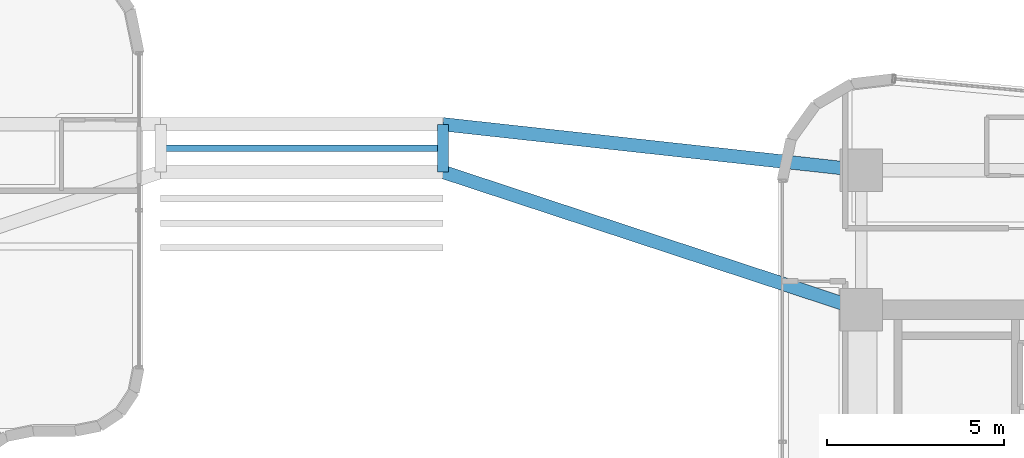
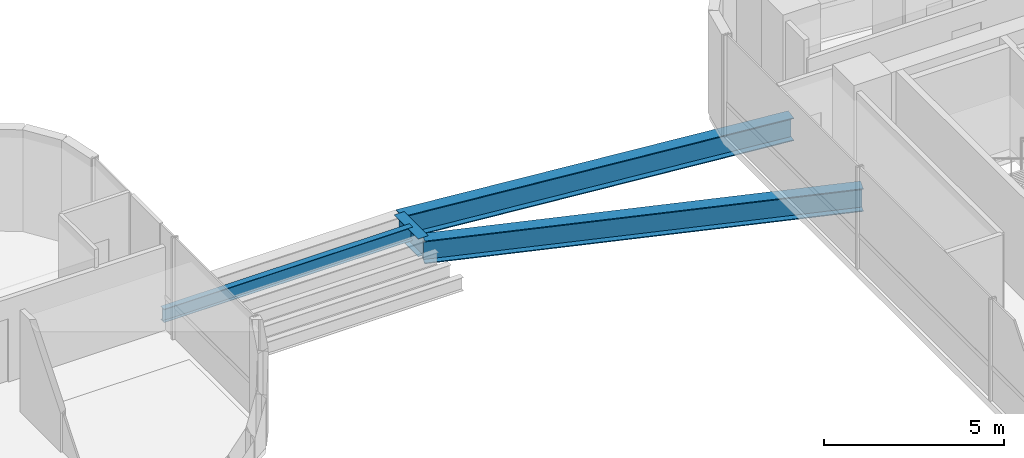
# One storey, part 16 of 36: 4 beams.
"""IFC4 building model written with IfcOpenShell, lengths in metres."""

from ifc_helpers import new_model, si_unit, direction, frame, origin, origin_2d, place, context, subcontext, project, spatial, i_section, extrude, source, transform, mapped, material, material_profile, profile_set, type_object, element, save


model = new_model("IFC4")

# Units and contexts
model_context = context("Model", 3, precision=1e-05, world=origin(), true_north=direction((0.0, 1.0)))
body_context = subcontext(model_context, "Body", "Model", "MODEL_VIEW")
ifc_project = project(units=[si_unit("LENGTHUNIT", "METRE"), si_unit("AREAUNIT", "SQUARE_METRE"), si_unit("VOLUMEUNIT", "CUBIC_METRE"), si_unit("PLANEANGLEUNIT", "RADIAN"), si_unit("MASSUNIT", "GRAM", prefix="KILO")], contexts=[model_context])

# Site, building, storey
site_placement = place(None, origin())
site = spatial("IfcSite", under=ifc_project, at=site_placement, CompositionType="ELEMENT")
building_placement = place(site_placement, origin())
building = spatial("IfcBuilding", under=site, at=building_placement, Name="Valdorenza Pilgrim Sanctuary Tower", CompositionType="ELEMENT")
storey_placement = place(building_placement, frame((0.0, 0.0, 153.800048828125)))
storey = spatial("IfcBuildingStorey", under=building, at=storey_placement, Name="L39", CompositionType="ELEMENT", Elevation=153.800048828125)

# Beams
ifc_material = material(Name="Steel ASTM A992 Grade 50", Category="steel")
ifc_material_profile_1 = material_profile(ifc_material, i_section(OverallWidth=0.323974609375, OverallDepth=0.611083984375, WebThickness=0.0126953125, FlangeThickness=0.01904296875, at=origin_2d()), Name="W24X104")
ifc_profile_set_1 = profile_set([ifc_material_profile_1], Name="Steel ASTM A992 Grade 50")
beam_type_1 = type_object("IfcBeamType", Name="STR-BM-GRD-W24B", PredefinedType="BEAM", material=ifc_profile_set_1)
shared_shape_1 = source(origin(), body_context, "Body", "SweptSolid", [
    extrude(i_section(OverallWidth=0.323974609375, OverallDepth=0.611083984375, WebThickness=0.0126953125, FlangeThickness=0.01904296875, at=origin_2d()), origin(), (0.0, 0.0, 1.0), 1.35009765625),
])
beam_1_placement = place(storey_placement, frame((4.0, 13.449951171875, -0.545654296875), z_axis=(0.0, 1.0, 0.0), x_axis=(-1.0, 0.0, 0.0)))
element("IfcBeam", 1, at=beam_1_placement, inside=storey, type_object=beam_type_1, Name="L39 Floor Girder KNK-TIE-E", PredefinedType="BEAM", context=body_context, shape_type="MappedRepresentation", body=[
    mapped(shared_shape_1, transform((0.0, 0.0, 0.0), x_axis=(1.0, 0.0, 0.0), y_axis=(0.0, 1.0, 0.0), z_axis=(0.0, 0.0, 1.0), scale=1.0)),
])
ifc_material_profile_2 = material_profile(ifc_material, i_section(OverallWidth=0.382080078125, OverallDepth=0.779052734375, WebThickness=0.01806640625, FlangeThickness=0.030029296875, at=origin_2d()), Name="W30X191")
ifc_profile_set_2 = profile_set([ifc_material_profile_2], Name="Steel ASTM A992 Grade 50")
beam_type_2 = type_object("IfcBeamType", Name="STR-BM-GRD-W30", PredefinedType="BEAM", material=ifc_profile_set_2)
shared_shape_2 = source(origin(), body_context, "Body", "SweptSolid", [
    extrude(i_section(OverallWidth=0.382080078125, OverallDepth=0.779052734375, WebThickness=0.01806640625, FlangeThickness=0.030029296875, at=origin_2d()), origin(), (0.0, 0.0, 1.0), 12.475341796875),
])
beam_2_placement = place(storey_placement, frame((4.0, 13.449951171875, -0.629638671875), z_axis=(0.949881908141, -0.312608957943, 0.0), x_axis=(0.312608957943, 0.949881908141, 0.0)))
element("IfcBeam", 2, at=beam_2_placement, inside=storey, type_object=beam_type_2, Name="L39 Floor Girder KNK-G3", PredefinedType="BEAM", context=body_context, shape_type="MappedRepresentation", body=[
    mapped(shared_shape_2, transform((0.0, 0.0, 0.0), x_axis=(1.0, 0.0, 0.0), y_axis=(0.0, 1.0, 0.0), z_axis=(0.0, 0.0, 1.0), scale=1.0)),
])
shared_shape_3 = source(origin(), body_context, "Body", "SweptSolid", [
    extrude(i_section(OverallWidth=0.382080078125, OverallDepth=0.779052734375, WebThickness=0.01806640625, FlangeThickness=0.030029296875, at=origin_2d()), origin(), (0.0, 0.0, 1.0), 11.921142578125),
])
beam_3_placement = place(storey_placement, frame((4.0, 14.800048828125, -0.629638671875), z_axis=(0.994035876607, -0.10905354656, 0.0), x_axis=(0.10905354656, 0.994035876607, 0.0)))
element("IfcBeam", 3, at=beam_3_placement, inside=storey, type_object=beam_type_2, Name="L39 Floor Girder KNK-G6", PredefinedType="BEAM", context=body_context, shape_type="MappedRepresentation", body=[
    mapped(shared_shape_3, transform((0.0, 0.0, 0.0), x_axis=(1.0, 0.0, 0.0), y_axis=(0.0, 1.0, 0.0), z_axis=(0.0, 0.0, 1.0), scale=1.0)),
])
ifc_material_profile_3 = material_profile(ifc_material, i_section(OverallWidth=0.19091796875, OverallDepth=0.45703125, WebThickness=0.009033203125, FlangeThickness=0.014404296875, at=origin_2d()), Name="W18X50")
ifc_profile_set_3 = profile_set([ifc_material_profile_3], Name="Steel ASTM A992 Grade 50")
beam_type_3 = type_object("IfcBeamType", Name="STR-BM-JST-W18B", PredefinedType="JOIST", material=ifc_profile_set_3)
shared_shape_4 = source(origin(), body_context, "Body", "SweptSolid", [
    extrude(i_section(OverallWidth=0.19091796875, OverallDepth=0.45703125, WebThickness=0.009033203125, FlangeThickness=0.014404296875, at=origin_2d()), origin(), (0.0, 0.0, 1.0), 8.0),
])
beam_4_placement = place(storey_placement, frame((-4.0, 14.1201171875, -0.468505859375), z_axis=(1.0, 0.0, 0.0), x_axis=(0.0, 1.0, 0.0)))
element("IfcBeam", 4, at=beam_4_placement, inside=storey, type_object=beam_type_3, Name="L39 Knuckle Composite Joist JST-KNK-4", PredefinedType="JOIST", context=body_context, shape_type="MappedRepresentation", body=[
    mapped(shared_shape_4, transform((0.0, 0.0, 0.0), x_axis=(1.0, 0.0, 0.0), y_axis=(0.0, 1.0, 0.0), z_axis=(0.0, 0.0, 1.0), scale=1.0)),
])

save(model, "model.ifc")
